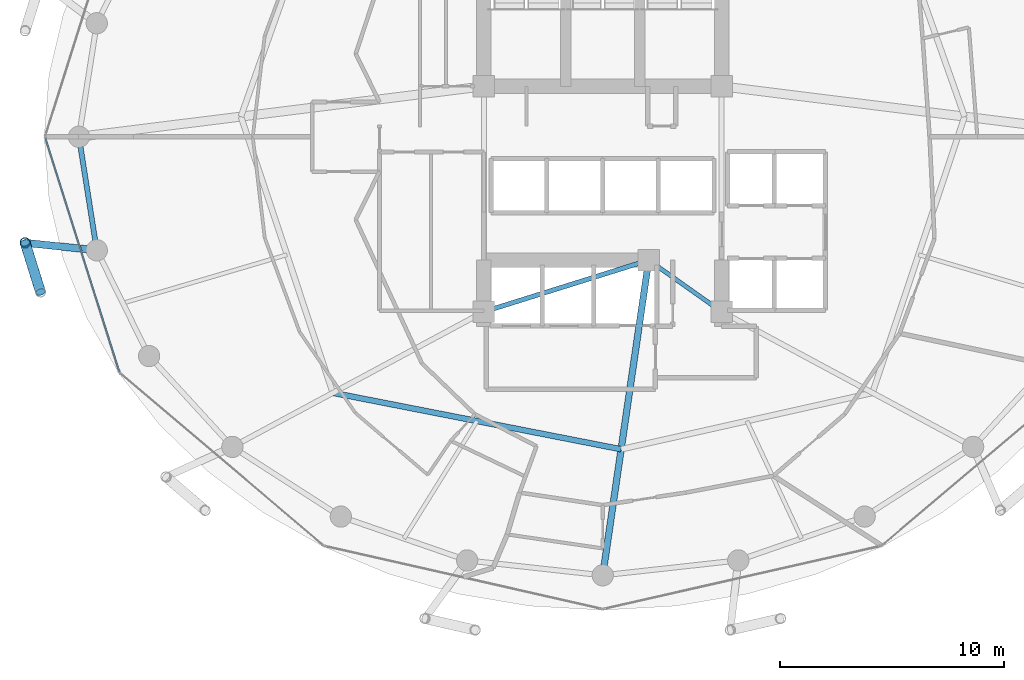
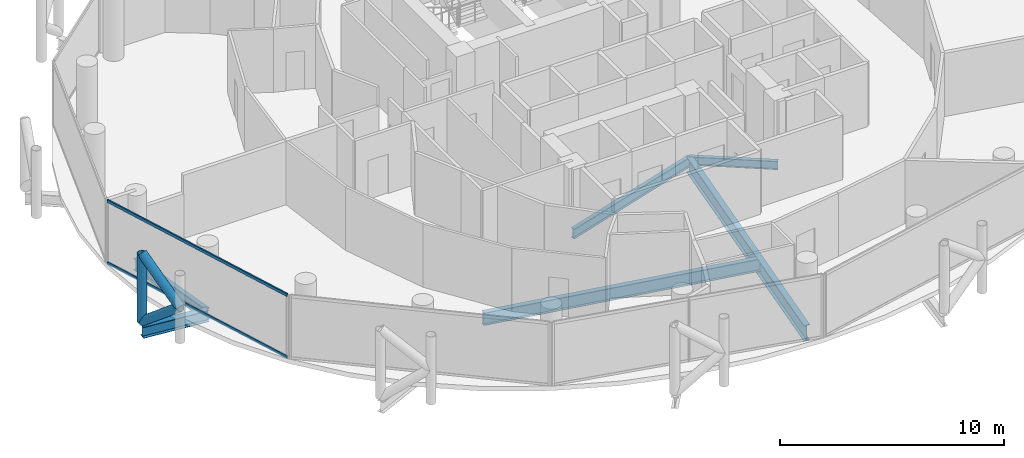
# One storey, part 5 of 26: 6 beams, 5 members, 1 element without a shape of its own.
"""IFC4 building model written with IfcOpenShell, lengths in metres."""

from ifc_helpers import new_model, si_unit, direction, frame, origin, origin_2d, place, context, subcontext, project, spatial, hollow_rectangle, hollow_circle, i_section, extrude, material, layer, layer_set, material_profile, profile_set, type_object, element, aggregate, save


model = new_model("IFC4")

# Units and contexts
model_context = context("Model", 3, precision=1e-05, world=origin(), true_north=direction((0.0, 1.0)))
body_context = subcontext(model_context, "Body", "Model", "MODEL_VIEW")
ifc_project = project(units=[si_unit("LENGTHUNIT", "METRE"), si_unit("AREAUNIT", "SQUARE_METRE"), si_unit("VOLUMEUNIT", "CUBIC_METRE"), si_unit("PLANEANGLEUNIT", "RADIAN"), si_unit("MASSUNIT", "GRAM", prefix="KILO")], contexts=[model_context])

# Site, building, storey
site_placement = place(None, origin())
site = spatial("IfcSite", under=ifc_project, at=site_placement, CompositionType="ELEMENT")
building_placement = place(site_placement, origin())
building = spatial("IfcBuilding", under=site, at=building_placement, Name="Nuhasar Tower", CompositionType="ELEMENT")
storey_placement = place(building_placement, frame((0.0, 0.0, 173.75)))
storey = spatial("IfcBuildingStorey", under=building, at=storey_placement, Name="L42", CompositionType="ELEMENT", Elevation=173.75)

# Beams
ifc_material_1 = material(Name="Steel S355", Category="steel")
ifc_material_profile_1 = material_profile(ifc_material_1, i_section(OverallWidth=0.25390625, OverallDepth=0.68408203125, WebThickness=0.012451171875, FlangeThickness=0.018798828125, at=origin_2d()), Name="W27X94")
ifc_profile_set_1 = profile_set([ifc_material_profile_1], Name="Steel S355")
beam_type_1 = type_object("IfcBeamType", Name="BM-INRING-W27X94", PredefinedType="BEAM", material=ifc_profile_set_1)
beam_1_placement = place(storey_placement, frame((26.972900390625, 15.385986328125, -0.592041015625), z_axis=(0.981359637088, -0.192180286956, 0.0), x_axis=(0.192180286956, 0.981359637088, 0.0)))
element("IfcBeam", 1, at=beam_1_placement, inside=storey, type_object=beam_type_1, Name="L42 Inner Header Beam 01", PredefinedType="BEAM", context=body_context, shape_type="SweptSolid", body=[
    extrude(i_section(OverallWidth=0.25390625, OverallDepth=0.68408203125, WebThickness=0.012451171875, FlangeThickness=0.018798828125, at=origin_2d()), origin(), (0.0, 0.0, 1.0), 13.09130859375),
])
ifc_material_profile_2 = material_profile(ifc_material_1, i_section(OverallWidth=0.2919921875, OverallDepth=0.85888671875, WebThickness=0.01708984375, FlangeThickness=0.031005859375, at=origin_2d()), Name="W33X169")
ifc_profile_set_2 = profile_set([ifc_material_profile_2], Name="Steel S355")
beam_type_2 = type_object("IfcBeamType", Name="BM-POD-W33X169", PredefinedType="BEAM", material=ifc_profile_set_2)
beam_2_placement = place(storey_placement, frame((41.050048828125, 21.300048828125, -0.678955078125), z_axis=(-0.144381604017, -0.989522082837, 0.0), x_axis=(0.989522082837, -0.144381604017, 0.0)))
element("IfcBeam", 2, at=beam_2_placement, inside=storey, type_object=beam_type_2, Name="L42 Radial Floor Girder 02", PredefinedType="BEAM", context=body_context, shape_type="SweptSolid", body=[
    extrude(i_section(OverallWidth=0.2919921875, OverallDepth=0.85888671875, WebThickness=0.01708984375, FlangeThickness=0.031005859375, at=origin_2d()), origin(), (0.0, 0.0, 1.0), 14.19873046875),
])
ifc_material_profile_3 = material_profile(ifc_material_1, i_section(OverallWidth=0.18994140625, OverallDepth=0.45703125, WebThickness=0.009033203125, FlangeThickness=0.014404296875, at=origin_2d()), Name="W18X50")
ifc_profile_set_3 = profile_set([ifc_material_profile_3], Name="Steel S355")
beam_type_3 = type_object("IfcBeamType", Name="BM-RAD-W18X50", PredefinedType="BEAM", material=ifc_profile_set_3)
beam_3_placement = place(storey_placement, frame((41.050048828125, 21.300048828125, -0.47802734375), z_axis=(0.816265428953, -0.577677028708, 0.0), x_axis=(0.577677028708, 0.816265428953, 0.0)))
element("IfcBeam", 3, at=beam_3_placement, inside=storey, type_object=beam_type_3, Name="L42 Core Ring Girder 2", PredefinedType="BEAM", context=body_context, shape_type="SweptSolid", body=[
    extrude(i_section(OverallWidth=0.18994140625, OverallDepth=0.45703125, WebThickness=0.009033203125, FlangeThickness=0.014404296875, at=origin_2d()), origin(), (0.0, 0.0, 1.0), 3.9814453125),
])
ifc_material_profile_4 = material_profile(ifc_material_1, i_section(OverallWidth=0.208984375, OverallDepth=0.532958984375, WebThickness=0.01025390625, FlangeThickness=0.015625, at=origin_2d()), Name="W21X62")
ifc_profile_set_4 = profile_set([ifc_material_profile_4], Name="Steel S355")
beam_type_4 = type_object("IfcBeamType", Name="BM-RAD-W21X62", PredefinedType="BEAM", material=ifc_profile_set_4)
beam_4_placement = place(storey_placement, frame((33.699951171875, 19.0, -0.51708984375), z_axis=(0.954363709454, 0.298646798205, 0.0), x_axis=(-0.298646798205, 0.954363709454, 0.0)))
element("IfcBeam", 4, at=beam_4_placement, inside=storey, type_object=beam_type_4, Name="L42 Core Ring Girder 1", PredefinedType="BEAM", context=body_context, shape_type="SweptSolid", body=[
    extrude(i_section(OverallWidth=0.208984375, OverallDepth=0.532958984375, WebThickness=0.01025390625, FlangeThickness=0.015625, at=origin_2d()), origin(), (0.0, 0.0, 1.0), 7.70166015625),
])
ifc_material_profile_5 = material_profile(ifc_material_1, i_section(OverallWidth=0.22998046875, OverallDepth=0.616943359375, WebThickness=0.01318359375, FlangeThickness=0.022216796875, at=origin_2d()), Name="W24X94")
ifc_profile_set_5 = profile_set([ifc_material_profile_5], Name="Steel S355")
beam_type_5 = type_object("IfcBeamType", Name="BM-RING-W24X94", PredefinedType="SPANDREL", material=ifc_profile_set_5)
beam_5_placement = place(storey_placement, frame((15.64990234375, 26.800048828125, -0.55908203125), z_axis=(0.155426543608, -0.987847452566, 0.0), x_axis=(0.987847452566, 0.155426543608, 0.0)))
element("IfcBeam", 5, at=beam_5_placement, inside=storey, type_object=beam_type_5, Name="L42 Perimeter Ring Spandrel 13", PredefinedType="SPANDREL", context=body_context, shape_type="SweptSolid", body=[
    extrude(i_section(OverallWidth=0.22998046875, OverallDepth=0.616943359375, WebThickness=0.01318359375, FlangeThickness=0.022216796875, at=origin_2d()), origin(), (0.0, 0.0, 1.0), 5.122314453125),
])
ifc_material_profile_6 = material_profile(ifc_material_1, i_section(OverallWidth=0.323974609375, OverallDepth=0.611083984375, WebThickness=0.0126953125, FlangeThickness=0.01904296875, at=origin_2d()), Name="W24X104")
ifc_profile_set_6 = profile_set([ifc_material_profile_6], Name="Steel S355")
beam_type_6 = type_object("IfcBeamType", Name="BM-TIE-W24X104", PredefinedType="BEAM", material=ifc_profile_set_6)
beam_6_placement = place(storey_placement, frame((16.446044921875, 21.739990234375, -0.554931640625), z_axis=(-0.994577694483, 0.103996200111, 0.0), x_axis=(-0.103996200111, -0.994577694483, 0.0)))
element("IfcBeam", 6, at=beam_6_placement, inside=storey, type_object=beam_type_6, Name="L42 Exoskeleton Node Tie Beam 07", PredefinedType="BEAM", context=body_context, shape_type="SweptSolid", body=[
    extrude(i_section(OverallWidth=0.323974609375, OverallDepth=0.611083984375, WebThickness=0.0126953125, FlangeThickness=0.01904296875, at=origin_2d()), origin(), (0.0, 0.0, 1.0), 3.21142578125),
])

# Curtain wall, members
ifc_material_2 = material(Name="Aluminium 6063-T6", Category="aluminium")
ifc_layer = layer(ifc_material_2, 0.199951171875)
ifc_layer_set = layer_set([ifc_layer], Name="Aluminium 6063-T6")
curtain_wall_type = type_object("IfcCurtainWallType", Name="CW-Z2-HTL", PredefinedType="NOTDEFINED", material=ifc_layer_set)
curtain_wall_placement = place(storey_placement, origin())
curtain_wall = element("IfcCurtainWall", 7, at=curtain_wall_placement, inside=storey, type_object=curtain_wall_type, Name="L42 Unitised Curtain Wall 07", PredefinedType="NOTDEFINED")
ifc_material_profile_7 = material_profile(ifc_material_2, hollow_rectangle(XDim=0.070068359375, YDim=0.159912109375, WallThickness=0.00439453125, at=origin_2d()), Name="CWT-3")
ifc_profile_set_7 = profile_set([ifc_material_profile_7], Name="Aluminium 6063-T6")
member_type_1 = type_object("IfcMemberType", Name="CW-TRN-S3", PredefinedType="USERDEFINED", material=ifc_profile_set_7)
member_1_placement = place(storey_placement, frame((14.1611328125, 26.733154296875, 0.034912109375), z_axis=(0.301608163352, -0.953431967053, 0.0), x_axis=(0.953431967053, 0.301608163352, 0.0)))
member_1 = element("IfcMember", 8, at=member_1_placement, type_object=member_type_1, Name="CW-Z2 transom 1.1", ObjectType="TRANSOM", PredefinedType="USERDEFINED", context=body_context, shape_type="SweptSolid", body=[
    extrude(hollow_rectangle(XDim=0.070068359375, YDim=0.159912109375, WallThickness=0.00439453125, at=origin_2d()), origin(), (0.0, 0.0, 1.0), 10.904296875),
])
member_2_placement = place(storey_placement, frame((14.1611328125, 26.733154296875, 3.4150390625), z_axis=(0.301608163352, -0.953431967053, 0.0), x_axis=(0.953431967053, 0.301608163352, 0.0)))
member_2 = element("IfcMember", 9, at=member_2_placement, type_object=member_type_1, Name="CW-Z2 transom 1.2", ObjectType="TRANSOM", PredefinedType="USERDEFINED", context=body_context, shape_type="SweptSolid", body=[
    extrude(hollow_rectangle(XDim=0.070068359375, YDim=0.159912109375, WallThickness=0.00439453125, at=origin_2d()), origin(), (0.0, 0.0, 1.0), 10.904296875),
])
aggregate(curtain_wall, [member_1, member_2])

# Members
ifc_material_3 = material(Name="Steel S460", Category="steel")
ifc_material_profile_8 = material_profile(ifc_material_3, hollow_circle(Radius=0.228515625, WallThickness=0.022216796875, at=origin_2d()), Name="HSS457X22.2")
ifc_profile_set_8 = profile_set([ifc_material_profile_8], Name="Steel S460")
member_type_2 = type_object("IfcMemberType", Name="EXO-BRONZE-457", PredefinedType="BRACE", material=ifc_profile_set_8)
member_3_placement = place(storey_placement, frame((13.251953125, 22.073974609375, 0.0), z_axis=(0.0, 0.0, 1.0), x_axis=(1.0, 0.0, 0.0)))
element("IfcMember", 10, at=member_3_placement, inside=storey, type_object=member_type_2, Name="L42 Exoskeleton Chord Column EC-07A", PredefinedType="BRACE", context=body_context, shape_type="SweptSolid", body=[
    extrude(hollow_circle(Radius=0.228515625, WallThickness=0.022216796875, at=origin_2d()), origin(), (0.0, 0.0, 1.0), 3.699951171875),
])
member_4_placement = place(storey_placement, frame((13.251953125, 22.073974609375, 0.0), z_axis=(0.233055548538, -0.743577869731, 0.626719285599), x_axis=(0.954228474306, 0.29907861646, 0.0)))
element("IfcMember", 11, at=member_4_placement, inside=storey, type_object=member_type_2, Name="L42 Bronze Diagrid Brace W1-07", PredefinedType="BRACE", context=body_context, shape_type="SweptSolid", body=[
    extrude(hollow_circle(Radius=0.228515625, WallThickness=0.022216796875, at=origin_2d()), origin(), (0.0, 0.0, 1.0), 2.9521484375),
])
member_5_placement = place(storey_placement, frame((13.93994140625, 19.87890625, 1.85009765625), z_axis=(-0.233067628236, 0.74361641074, 0.626669062861), x_axis=(-0.954228474306, -0.29907861646, 0.0)))
element("IfcMember", 12, at=member_5_placement, inside=storey, type_object=member_type_2, Name="L42 Bronze Diagrid Brace W2-07", PredefinedType="BRACE", context=body_context, shape_type="SweptSolid", body=[
    extrude(hollow_circle(Radius=0.228515625, WallThickness=0.022216796875, at=origin_2d()), origin(), (0.0, 0.0, 1.0), 2.951904296875),
])

save(model, "model.ifc")
